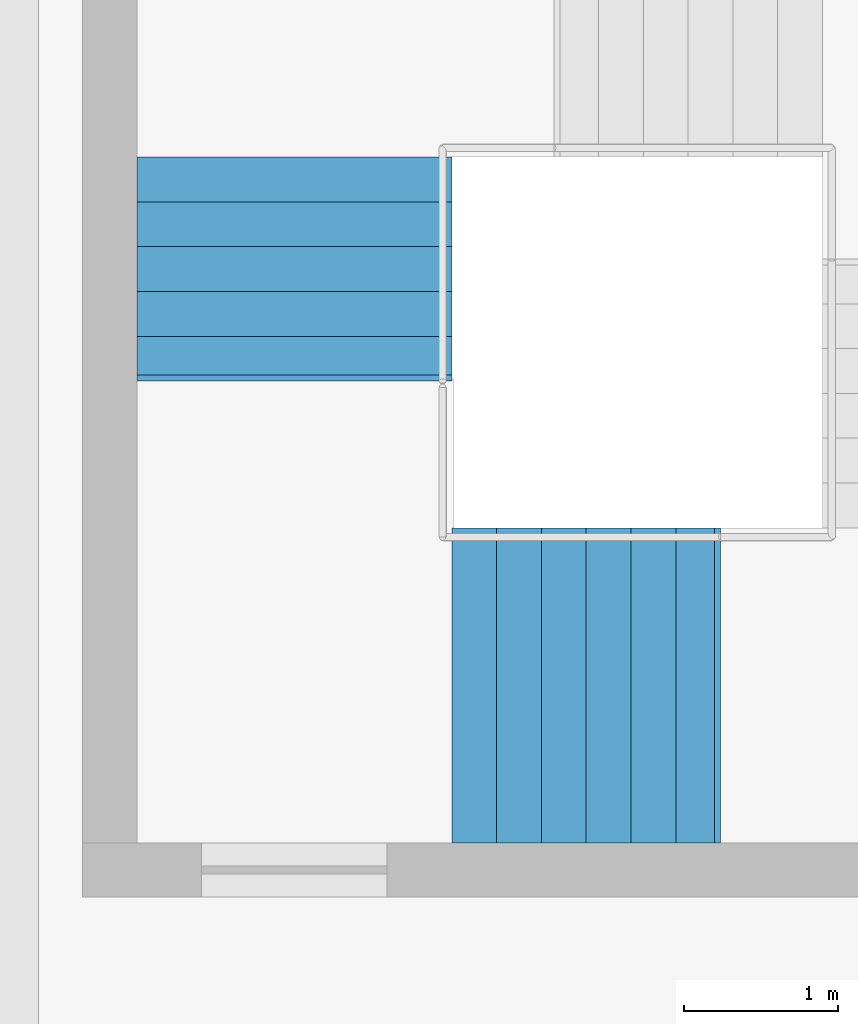
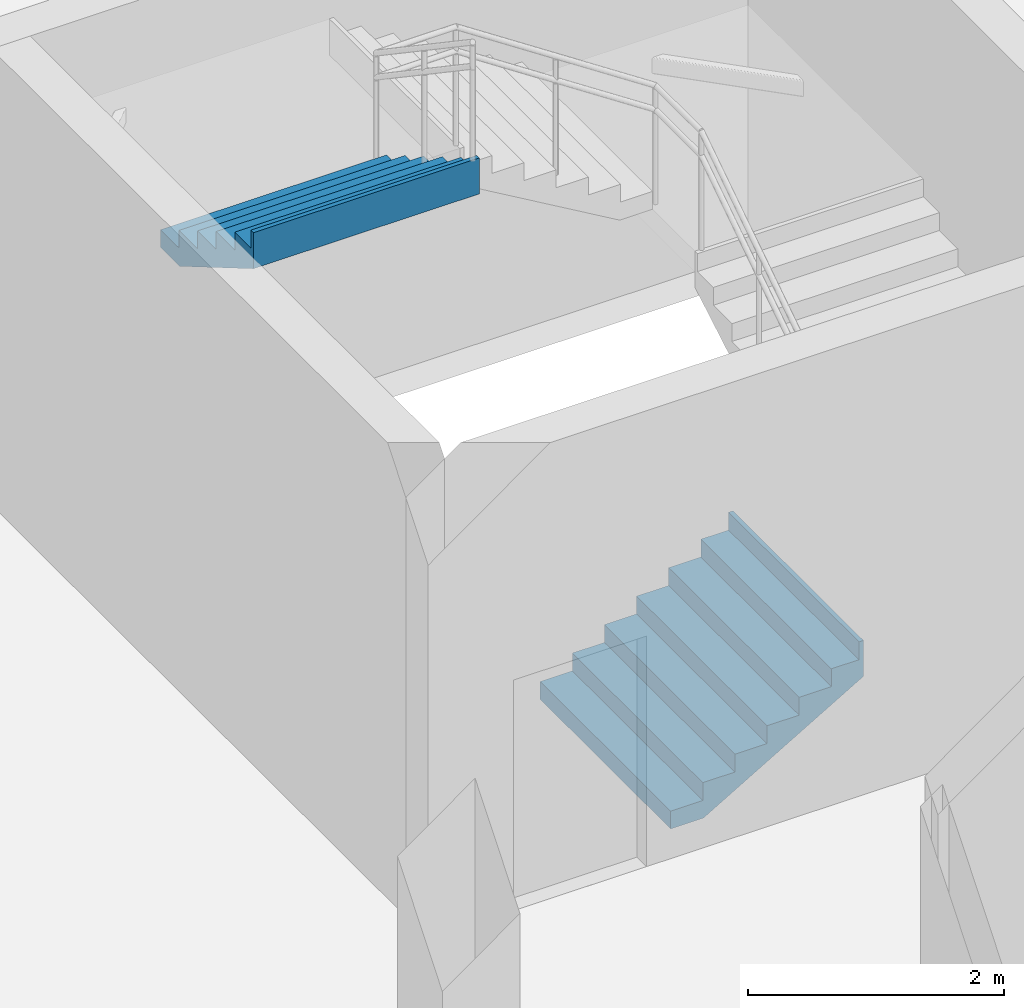
# One storey, part 44 of 49: 2 stair flights, 1 element without a shape of its own.
"""IFC4 building model written with IfcOpenShell, lengths in metres."""

from ifc_helpers import new_model, si_unit, direction, frame, origin, place, context, subcontext, project, spatial, triangles, material, type_object, element, aggregate, save


model = new_model("IFC4")

# Units and contexts
model_context = context("Model", 3, precision=1e-05, world=origin(), true_north=direction((0.0, 1.0)))
body_context = subcontext(model_context, "Body", "Model", "MODEL_VIEW")
ifc_project = project(units=[si_unit("LENGTHUNIT", "METRE"), si_unit("AREAUNIT", "SQUARE_METRE"), si_unit("VOLUMEUNIT", "CUBIC_METRE"), si_unit("PLANEANGLEUNIT", "RADIAN"), si_unit("MASSUNIT", "GRAM", prefix="KILO")], contexts=[model_context])

# Site, building, storey
site_placement = place(None, origin())
site = spatial("IfcSite", under=ifc_project, at=site_placement, CompositionType="ELEMENT")
building_placement = place(site_placement, origin())
building = spatial("IfcBuilding", under=site, at=building_placement, Name="Sillaruma Civic Art Gallery", CompositionType="ELEMENT")
storey_placement = place(building_placement, frame((0.0, 0.0, 33.14990234375)))
storey = spatial("IfcBuildingStorey", under=building, at=storey_placement, Name="L06", CompositionType="ELEMENT", Elevation=33.14990234375)

# Stair, stair flights
ifc_material = material(Name="Concrete H35 (35 MPa)", Category="concrete")
stair_type = type_object("IfcStairType", Name="STR-4F-27", PredefinedType="USERDEFINED", material=ifc_material)
stair_placement = place(storey_placement, origin())
stair = element("IfcStair", 1, at=stair_placement, inside=storey, type_object=stair_type, Name="Protected Exit Stair ST-04 (East Bar) (L06)", ObjectType="THREE_RETURN_STAIR", PredefinedType="USERDEFINED")
stair_flight_type_1 = type_object("IfcStairFlightType", Name="SFL-STR-6", PredefinedType="STRAIGHT", material=ifc_material)
stair_flight_1_placement = place(storey_placement, frame((99.8798828125, 55.64990234375, 3.570068359375), z_axis=(0.0, 0.0, 1.0), x_axis=(0.0, -1.0, 0.0)))
stair_flight_1 = element("IfcStairFlight", 2, at=stair_flight_1_placement, type_object=stair_flight_type_1, Name="ST-04 flight 4", NumberOfRisers=6, NumberOfTreads=5, PredefinedType="STRAIGHT", RiserHeight=0.17, TreadLength=0.29, context=body_context, shape_type="Tessellation", body=[
    triangles([(0.0, -1.02001953125, 0.0), (0.29, -1.02001953125, 0.0), (0.296365, -1.02001953125, 0.0), (0.58, -1.02001953125, 0.166269), (0.87, -1.02001953125, 0.336269), (1.16, -1.02001953125, 0.506269), (1.409951, -1.02001953125, 0.652792), (1.449951, -1.02001953125, 0.67624), (1.449951, -1.02001953125, 1.02), (1.409951, -1.02001953125, 1.02), (1.409951, -1.02001953125, 0.85), (1.16, -1.02001953125, 0.85), (1.16, -1.02001953125, 0.68), (0.87, -1.02001953125, 0.68), (0.87, -1.02001953125, 0.51), (0.58, -1.02001953125, 0.51), (0.58, -1.02001953125, 0.34), (0.296365, -1.02001953125, 0.34), (0.29, -1.02001953125, 0.34), (0.29, -1.02001953125, 0.17), (0.0, -1.02001953125, 0.17), (0.0, -0.05, 0.0), (0.29, -0.05, 0.0), (0.296365, -0.05, 0.0), (0.58, -0.05, 0.166269), (0.87, -0.05, 0.336269), (1.16, -0.05, 0.506269), (1.409951, -0.05, 0.652792), (1.449951, -0.05, 0.67624), (1.449951, -0.05, 1.02), (1.409951, -0.05, 1.02), (1.409951, -0.05, 0.85), (1.16, -0.05, 0.85), (1.16, -0.05, 0.68), (0.87, -0.05, 0.68), (0.87, -0.05, 0.51), (0.58, -0.05, 0.51), (0.58, -0.05, 0.34), (0.296365, -0.05, 0.34), (0.29, -0.05, 0.34), (0.29, -0.05, 0.17), (0.0, -0.05, 0.17), (0.0, -0.0375, 0.0), (0.29, -0.0375, 0.0), (0.296365, -0.0375, 0.0), (0.58, -0.0375, 0.166269), (0.87, -0.0375, 0.336269), (1.16, -0.0375, 0.506269), (1.409951, -0.0375, 0.652792), (1.449951, -0.0375, 0.67624), (1.449951, -0.0375, 1.02), (1.409951, -0.0375, 1.02), (1.409951, -0.0375, 0.85), (1.16, -0.0375, 0.85), (1.16, -0.0375, 0.68), (0.87, -0.0375, 0.68), (0.87, -0.0375, 0.51), (0.58, -0.0375, 0.51), (0.58, -0.0375, 0.34), (0.296365, -0.0375, 0.34), (0.29, -0.0375, 0.34), (0.29, -0.0375, 0.17), (0.0, -0.0375, 0.17), (0.0, -0.025, 0.0), (0.29, -0.025, 0.0), (0.296365, -0.025, 0.0), (0.58, -0.025, 0.166269), (0.87, -0.025, 0.336269), (1.16, -0.025, 0.506269), (1.409951, -0.025, 0.652792), (1.449951, -0.025, 0.67624), (1.449951, -0.025, 1.02), (1.409951, -0.025, 1.02), (1.409951, -0.025, 0.85), (1.16, -0.025, 0.85), (1.16, -0.025, 0.68), (0.87, -0.025, 0.68), (0.87, -0.025, 0.51), (0.58, -0.025, 0.51), (0.58, -0.025, 0.34), (0.296365, -0.025, 0.34), (0.29, -0.025, 0.34), (0.29, -0.025, 0.17), (0.0, -0.025, 0.17), (0.0, -0.0125, 0.0), (0.29, -0.0125, 0.0), (0.296365, -0.0125, 0.0), (0.58, -0.0125, 0.166269), (0.87, -0.0125, 0.336269), (1.16, -0.0125, 0.506269), (1.409951, -0.0125, 0.652792), (1.449951, -0.0125, 0.67624), (1.449951, -0.0125, 1.02), (1.409951, -0.0125, 1.02), (1.409951, -0.0125, 0.85), (1.16, -0.0125, 0.85), (1.16, -0.0125, 0.68), (0.87, -0.0125, 0.68), (0.87, -0.0125, 0.51), (0.58, -0.0125, 0.51), (0.58, -0.0125, 0.34), (0.296365, -0.0125, 0.34), (0.29, -0.0125, 0.34), (0.29, -0.0125, 0.17), (0.0, -0.0125, 0.17), (0.0, 0.0, 0.0), (0.29, 0.0, 0.0), (0.296365, 0.0, 0.0), (0.58, 0.0, 0.166269), (0.87, 0.0, 0.336269), (1.16, 0.0, 0.506269), (1.409951, 0.0, 0.652792), (1.449951, 0.0, 0.67624), (1.449951, 0.0, 1.02), (1.409951, 0.0, 1.02), (1.409951, 0.0, 0.85), (1.16, 0.0, 0.85), (1.16, 0.0, 0.68), (0.87, 0.0, 0.68), (0.87, 0.0, 0.51), (0.58, 0.0, 0.51), (0.58, 0.0, 0.34), (0.296365, 0.0, 0.34), (0.29, 0.0, 0.34), (0.29, 0.0, 0.17), (0.0, 0.0, 0.17), (0.0, 0.0125, 0.0), (0.29, 0.0125, 0.0), (0.296365, 0.0125, 0.0), (0.58, 0.0125, 0.166269), (0.87, 0.0125, 0.336269), (1.16, 0.0125, 0.506269), (1.409951, 0.0125, 0.652792), (1.449951, 0.0125, 0.67624), (1.449951, 0.0125, 1.02), (1.409951, 0.0125, 1.02), (1.409951, 0.0125, 0.85), (1.16, 0.0125, 0.85), (1.16, 0.0125, 0.68), (0.87, 0.0125, 0.68), (0.87, 0.0125, 0.51), (0.58, 0.0125, 0.51), (0.58, 0.0125, 0.34), (0.296365, 0.0125, 0.34), (0.29, 0.0125, 0.34), (0.29, 0.0125, 0.17), (0.0, 0.0125, 0.17), (0.0, 0.025, 0.0), (0.29, 0.025, 0.0), (0.296365, 0.025, 0.0), (0.58, 0.025, 0.166269), (0.87, 0.025, 0.336269), (1.16, 0.025, 0.506269), (1.409951, 0.025, 0.652792), (1.449951, 0.025, 0.67624), (1.449951, 0.025, 1.02), (1.409951, 0.025, 1.02), (1.409951, 0.025, 0.85), (1.16, 0.025, 0.85), (1.16, 0.025, 0.68), (0.87, 0.025, 0.68), (0.87, 0.025, 0.51), (0.58, 0.025, 0.51), (0.58, 0.025, 0.34), (0.296365, 0.025, 0.34), (0.29, 0.025, 0.34), (0.29, 0.025, 0.17), (0.0, 0.025, 0.17), (0.0, 0.0375, 0.0), (0.29, 0.0375, 0.0), (0.296365, 0.0375, 0.0), (0.58, 0.0375, 0.166269), (0.87, 0.0375, 0.336269), (1.16, 0.0375, 0.506269), (1.409951, 0.0375, 0.652792), (1.449951, 0.0375, 0.67624), (1.449951, 0.0375, 1.02), (1.409951, 0.0375, 1.02), (1.409951, 0.0375, 0.85), (1.16, 0.0375, 0.85), (1.16, 0.0375, 0.68), (0.87, 0.0375, 0.68), (0.87, 0.0375, 0.51), (0.58, 0.0375, 0.51), (0.58, 0.0375, 0.34), (0.296365, 0.0375, 0.34), (0.29, 0.0375, 0.34), (0.29, 0.0375, 0.17), (0.0, 0.0375, 0.17), (0.0, 0.05, 0.0), (0.29, 0.05, 0.0), (0.296365, 0.05, 0.0), (0.58, 0.05, 0.166269), (0.87, 0.05, 0.336269), (1.16, 0.05, 0.506269), (1.409951, 0.05, 0.652792), (1.449951, 0.05, 0.67624), (1.449951, 0.05, 1.02), (1.409951, 0.05, 1.02), (1.409951, 0.05, 0.85), (1.16, 0.05, 0.85), (1.16, 0.05, 0.68), (0.87, 0.05, 0.68), (0.87, 0.05, 0.51), (0.58, 0.05, 0.51), (0.58, 0.05, 0.34), (0.296365, 0.05, 0.34), (0.29, 0.05, 0.34), (0.29, 0.05, 0.17), (0.0, 0.05, 0.17), (0.0, 1.02001953125, 0.0), (0.29, 1.02001953125, 0.0), (0.296365, 1.02001953125, 0.0), (0.58, 1.02001953125, 0.166269), (0.87, 1.02001953125, 0.336269), (1.16, 1.02001953125, 0.506269), (1.409951, 1.02001953125, 0.652792), (1.449951, 1.02001953125, 0.67624), (1.449951, 1.02001953125, 1.02), (1.409951, 1.02001953125, 1.02), (1.409951, 1.02001953125, 0.85), (1.16, 1.02001953125, 0.85), (1.16, 1.02001953125, 0.68), (0.87, 1.02001953125, 0.68), (0.87, 1.02001953125, 0.51), (0.58, 1.02001953125, 0.51), (0.58, 1.02001953125, 0.34), (0.296365, 1.02001953125, 0.34), (0.29, 1.02001953125, 0.34), (0.29, 1.02001953125, 0.17), (0.0, 1.02001953125, 0.17)], [[1, 2, 20], [1, 20, 21], [2, 3, 18], [2, 18, 20], [20, 18, 19], [3, 4, 17], [3, 17, 18], [4, 5, 15], [4, 15, 17], [17, 15, 16], [5, 6, 13], [5, 13, 15], [15, 13, 14], [6, 7, 11], [6, 11, 13], [13, 11, 12], [7, 8, 9], [7, 9, 11], [11, 9, 10], [230, 212, 211], [231, 230, 211], [228, 213, 212], [230, 228, 212], [229, 228, 230], [227, 214, 213], [228, 227, 213], [225, 215, 214], [227, 225, 214], [226, 225, 227], [223, 216, 215], [225, 223, 215], [224, 223, 225], [221, 217, 216], [223, 221, 216], [222, 221, 223], [219, 218, 217], [221, 219, 217], [220, 219, 221], [2, 1, 22], [2, 22, 23], [3, 2, 23], [3, 23, 24], [4, 3, 24], [4, 24, 25], [5, 4, 25], [5, 25, 26], [6, 5, 26], [6, 26, 27], [7, 6, 27], [7, 27, 28], [8, 7, 28], [8, 28, 29], [9, 8, 29], [9, 29, 30], [10, 9, 30], [10, 30, 31], [11, 10, 31], [11, 31, 32], [12, 11, 32], [12, 32, 33], [13, 12, 33], [13, 33, 34], [14, 13, 34], [14, 34, 35], [15, 14, 35], [15, 35, 36], [16, 15, 36], [16, 36, 37], [17, 16, 37], [17, 37, 38], [18, 17, 38], [18, 38, 39], [19, 18, 39], [19, 39, 40], [20, 19, 40], [20, 40, 41], [21, 20, 41], [21, 41, 42], [1, 21, 42], [1, 42, 22], [23, 22, 43], [23, 43, 44], [24, 23, 44], [24, 44, 45], [25, 24, 45], [25, 45, 46], [26, 25, 46], [26, 46, 47], [27, 26, 47], [27, 47, 48], [28, 27, 48], [28, 48, 49], [29, 28, 49], [29, 49, 50], [30, 29, 50], [30, 50, 51], [31, 30, 51], [31, 51, 52], [32, 31, 52], [32, 52, 53], [33, 32, 53], [33, 53, 54], [34, 33, 54], [34, 54, 55], [35, 34, 55], [35, 55, 56], [36, 35, 56], [36, 56, 57], [37, 36, 57], [37, 57, 58], [38, 37, 58], [38, 58, 59], [39, 38, 59], [39, 59, 60], [40, 39, 60], [40, 60, 61], [41, 40, 61], [41, 61, 62], [42, 41, 62], [42, 62, 63], [22, 42, 63], [22, 63, 43], [44, 43, 64], [44, 64, 65], [45, 44, 65], [45, 65, 66], [46, 45, 66], [46, 66, 67], [47, 46, 67], [47, 67, 68], [48, 47, 68], [48, 68, 69], [49, 48, 69], [49, 69, 70], [50, 49, 70], [50, 70, 71], [51, 50, 71], [51, 71, 72], [52, 51, 72], [52, 72, 73], [53, 52, 73], [53, 73, 74], [54, 53, 74], [54, 74, 75], [55, 54, 75], [55, 75, 76], [56, 55, 76], [56, 76, 77], [57, 56, 77], [57, 77, 78], [58, 57, 78], [58, 78, 79], [59, 58, 79], [59, 79, 80], [60, 59, 80], [60, 80, 81], [61, 60, 81], [61, 81, 82], [62, 61, 82], [62, 82, 83], [63, 62, 83], [63, 83, 84], [43, 63, 84], [43, 84, 64], [65, 64, 85], [65, 85, 86], [66, 65, 86], [66, 86, 87], [67, 66, 87], [67, 87, 88], [68, 67, 88], [68, 88, 89], [69, 68, 89], [69, 89, 90], [70, 69, 90], [70, 90, 91], [71, 70, 91], [71, 91, 92], [72, 71, 92], [72, 92, 93], [73, 72, 93], [73, 93, 94], [74, 73, 94], [74, 94, 95], [75, 74, 95], [75, 95, 96], [76, 75, 96], [76, 96, 97], [77, 76, 97], [77, 97, 98], [78, 77, 98], [78, 98, 99], [79, 78, 99], [79, 99, 100], [80, 79, 100], [80, 100, 101], [81, 80, 101], [81, 101, 102], [82, 81, 102], [82, 102, 103], [83, 82, 103], [83, 103, 104], [84, 83, 104], [84, 104, 105], [64, 84, 105], [64, 105, 85], [86, 85, 106], [86, 106, 107], [87, 86, 107], [87, 107, 108], [88, 87, 108], [88, 108, 109], [89, 88, 109], [89, 109, 110], [90, 89, 110], [90, 110, 111], [91, 90, 111], [91, 111, 112], [92, 91, 112], [92, 112, 113], [93, 92, 113], [93, 113, 114], [94, 93, 114], [94, 114, 115], [95, 94, 115], [95, 115, 116], [96, 95, 116], [96, 116, 117], [97, 96, 117], [97, 117, 118], [98, 97, 118], [98, 118, 119], [99, 98, 119], [99, 119, 120], [100, 99, 120], [100, 120, 121], [101, 100, 121], [101, 121, 122], [102, 101, 122], [102, 122, 123], [103, 102, 123], [103, 123, 124], [104, 103, 124], [104, 124, 125], [105, 104, 125], [105, 125, 126], [85, 105, 126], [85, 126, 106], [107, 106, 127], [107, 127, 128], [108, 107, 128], [108, 128, 129], [109, 108, 129], [109, 129, 130], [110, 109, 130], [110, 130, 131], [111, 110, 131], [111, 131, 132], [112, 111, 132], [112, 132, 133], [113, 112, 133], [113, 133, 134], [114, 113, 134], [114, 134, 135], [115, 114, 135], [115, 135, 136], [116, 115, 136], [116, 136, 137], [117, 116, 137], [117, 137, 138], [118, 117, 138], [118, 138, 139], [119, 118, 139], [119, 139, 140], [120, 119, 140], [120, 140, 141], [121, 120, 141], [121, 141, 142], [122, 121, 142], [122, 142, 143], [123, 122, 143], [123, 143, 144], [124, 123, 144], [124, 144, 145], [125, 124, 145], [125, 145, 146], [126, 125, 146], [126, 146, 147], [106, 126, 147], [106, 147, 127], [128, 127, 148], [128, 148, 149], [129, 128, 149], [129, 149, 150], [130, 129, 150], [130, 150, 151], [131, 130, 151], [131, 151, 152], [132, 131, 152], [132, 152, 153], [133, 132, 153], [133, 153, 154], [134, 133, 154], [134, 154, 155], [135, 134, 155], [135, 155, 156], [136, 135, 156], [136, 156, 157], [137, 136, 157], [137, 157, 158], [138, 137, 158], [138, 158, 159], [139, 138, 159], [139, 159, 160], [140, 139, 160], [140, 160, 161], [141, 140, 161], [141, 161, 162], [142, 141, 162], [142, 162, 163], [143, 142, 163], [143, 163, 164], [144, 143, 164], [144, 164, 165], [145, 144, 165], [145, 165, 166], [146, 145, 166], [146, 166, 167], [147, 146, 167], [147, 167, 168], [127, 147, 168], [127, 168, 148], [149, 148, 169], [149, 169, 170], [150, 149, 170], [150, 170, 171], [151, 150, 171], [151, 171, 172], [152, 151, 172], [152, 172, 173], [153, 152, 173], [153, 173, 174], [154, 153, 174], [154, 174, 175], [155, 154, 175], [155, 175, 176], [156, 155, 176], [156, 176, 177], [157, 156, 177], [157, 177, 178], [158, 157, 178], [158, 178, 179], [159, 158, 179], [159, 179, 180], [160, 159, 180], [160, 180, 181], [161, 160, 181], [161, 181, 182], [162, 161, 182], [162, 182, 183], [163, 162, 183], [163, 183, 184], [164, 163, 184], [164, 184, 185], [165, 164, 185], [165, 185, 186], [166, 165, 186], [166, 186, 187], [167, 166, 187], [167, 187, 188], [168, 167, 188], [168, 188, 189], [148, 168, 189], [148, 189, 169], [170, 169, 190], [170, 190, 191], [171, 170, 191], [171, 191, 192], [172, 171, 192], [172, 192, 193], [173, 172, 193], [173, 193, 194], [174, 173, 194], [174, 194, 195], [175, 174, 195], [175, 195, 196], [176, 175, 196], [176, 196, 197], [177, 176, 197], [177, 197, 198], [178, 177, 198], [178, 198, 199], [179, 178, 199], [179, 199, 200], [180, 179, 200], [180, 200, 201], [181, 180, 201], [181, 201, 202], [182, 181, 202], [182, 202, 203], [183, 182, 203], [183, 203, 204], [184, 183, 204], [184, 204, 205], [185, 184, 205], [185, 205, 206], [186, 185, 206], [186, 206, 207], [187, 186, 207], [187, 207, 208], [188, 187, 208], [188, 208, 209], [189, 188, 209], [189, 209, 210], [169, 189, 210], [169, 210, 190], [191, 190, 211], [191, 211, 212], [192, 191, 212], [192, 212, 213], [193, 192, 213], [193, 213, 214], [194, 193, 214], [194, 214, 215], [195, 194, 215], [195, 215, 216], [196, 195, 216], [196, 216, 217], [197, 196, 217], [197, 217, 218], [198, 197, 218], [198, 218, 219], [199, 198, 219], [199, 219, 220], [200, 199, 220], [200, 220, 221], [201, 200, 221], [201, 221, 222], [202, 201, 222], [202, 222, 223], [203, 202, 223], [203, 223, 224], [204, 203, 224], [204, 224, 225], [205, 204, 225], [205, 225, 226], [206, 205, 226], [206, 226, 227], [207, 206, 227], [207, 227, 228], [208, 207, 228], [208, 228, 229], [209, 208, 229], [209, 229, 230], [210, 209, 230], [210, 230, 231], [190, 210, 231], [190, 231, 211]], closed=True),
])
stair_flight_type_2 = type_object("IfcStairFlightType", Name="SFL-STR-7", PredefinedType="STRAIGHT", material=ifc_material)
stair_flight_2_placement = place(storey_placement, frame((100.89990234375, 52.22998046875, 0.0), z_axis=(0.0, 0.0, 1.0), x_axis=(1.0, 0.0, 0.0)))
stair_flight_2 = element("IfcStairFlight", 3, at=stair_flight_2_placement, type_object=stair_flight_type_2, Name="ST-04 flight 1", NumberOfRisers=7, NumberOfTreads=6, PredefinedType="STRAIGHT", RiserHeight=0.17, TreadLength=0.29, context=body_context, shape_type="Tessellation", body=[
    triangles([(0.0, -1.02001953125, 0.0), (0.29, -1.02001953125, 0.0), (0.296404, -1.02001953125, 0.0), (0.58, -1.02001953125, 0.166246), (0.87, -1.02001953125, 0.336246), (1.16, -1.02001953125, 0.506246), (1.45, -1.02001953125, 0.676246), (1.69999, -1.02001953125, 0.822792), (1.73999, -1.02001953125, 0.84624), (1.73999, -1.02001953125, 1.19), (1.69999, -1.02001953125, 1.19), (1.69999, -1.02001953125, 1.02), (1.45, -1.02001953125, 1.02), (1.45, -1.02001953125, 0.85), (1.16, -1.02001953125, 0.85), (1.16, -1.02001953125, 0.68), (0.87, -1.02001953125, 0.68), (0.87, -1.02001953125, 0.51), (0.58, -1.02001953125, 0.51), (0.58, -1.02001953125, 0.34), (0.296404, -1.02001953125, 0.34), (0.29, -1.02001953125, 0.34), (0.29, -1.02001953125, 0.17), (0.0, -1.02001953125, 0.17), (0.0, -0.05, 0.0), (0.29, -0.05, 0.0), (0.296404, -0.05, 0.0), (0.58, -0.05, 0.166246), (0.87, -0.05, 0.336246), (1.16, -0.05, 0.506246), (1.45, -0.05, 0.676246), (1.69999, -0.05, 0.822792), (1.73999, -0.05, 0.84624), (1.73999, -0.05, 1.19), (1.69999, -0.05, 1.19), (1.69999, -0.05, 1.02), (1.45, -0.05, 1.02), (1.45, -0.05, 0.85), (1.16, -0.05, 0.85), (1.16, -0.05, 0.68), (0.87, -0.05, 0.68), (0.87, -0.05, 0.51), (0.58, -0.05, 0.51), (0.58, -0.05, 0.34), (0.296404, -0.05, 0.34), (0.29, -0.05, 0.34), (0.29, -0.05, 0.17), (0.0, -0.05, 0.17), (0.0, -0.0375, 0.0), (0.29, -0.0375, 0.0), (0.296404, -0.0375, 0.0), (0.58, -0.0375, 0.166246), (0.87, -0.0375, 0.336246), (1.16, -0.0375, 0.506246), (1.45, -0.0375, 0.676246), (1.69999, -0.0375, 0.822792), (1.73999, -0.0375, 0.84624), (1.73999, -0.0375, 1.19), (1.69999, -0.0375, 1.19), (1.69999, -0.0375, 1.02), (1.45, -0.0375, 1.02), (1.45, -0.0375, 0.85), (1.16, -0.0375, 0.85), (1.16, -0.0375, 0.68), (0.87, -0.0375, 0.68), (0.87, -0.0375, 0.51), (0.58, -0.0375, 0.51), (0.58, -0.0375, 0.34), (0.296404, -0.0375, 0.34), (0.29, -0.0375, 0.34), (0.29, -0.0375, 0.17), (0.0, -0.0375, 0.17), (0.0, -0.025, 0.0), (0.29, -0.025, 0.0), (0.296404, -0.025, 0.0), (0.58, -0.025, 0.166246), (0.87, -0.025, 0.336246), (1.16, -0.025, 0.506246), (1.45, -0.025, 0.676246), (1.69999, -0.025, 0.822792), (1.73999, -0.025, 0.84624), (1.73999, -0.025, 1.19), (1.69999, -0.025, 1.19), (1.69999, -0.025, 1.02), (1.45, -0.025, 1.02), (1.45, -0.025, 0.85), (1.16, -0.025, 0.85), (1.16, -0.025, 0.68), (0.87, -0.025, 0.68), (0.87, -0.025, 0.51), (0.58, -0.025, 0.51), (0.58, -0.025, 0.34), (0.296404, -0.025, 0.34), (0.29, -0.025, 0.34), (0.29, -0.025, 0.17), (0.0, -0.025, 0.17), (0.0, -0.0125, 0.0), (0.29, -0.0125, 0.0), (0.296404, -0.0125, 0.0), (0.58, -0.0125, 0.166246), (0.87, -0.0125, 0.336246), (1.16, -0.0125, 0.506246), (1.45, -0.0125, 0.676246), (1.69999, -0.0125, 0.822792), (1.73999, -0.0125, 0.84624), (1.73999, -0.0125, 1.19), (1.69999, -0.0125, 1.19), (1.69999, -0.0125, 1.02), (1.45, -0.0125, 1.02), (1.45, -0.0125, 0.85), (1.16, -0.0125, 0.85), (1.16, -0.0125, 0.68), (0.87, -0.0125, 0.68), (0.87, -0.0125, 0.51), (0.58, -0.0125, 0.51), (0.58, -0.0125, 0.34), (0.296404, -0.0125, 0.34), (0.29, -0.0125, 0.34), (0.29, -0.0125, 0.17), (0.0, -0.0125, 0.17), (0.0, 0.0, 0.0), (0.29, 0.0, 0.0), (0.296404, 0.0, 0.0), (0.58, 0.0, 0.166246), (0.87, 0.0, 0.336246), (1.16, 0.0, 0.506246), (1.45, 0.0, 0.676246), (1.69999, 0.0, 0.822792), (1.73999, 0.0, 0.84624), (1.73999, 0.0, 1.19), (1.69999, 0.0, 1.19), (1.69999, 0.0, 1.02), (1.45, 0.0, 1.02), (1.45, 0.0, 0.85), (1.16, 0.0, 0.85), (1.16, 0.0, 0.68), (0.87, 0.0, 0.68), (0.87, 0.0, 0.51), (0.58, 0.0, 0.51), (0.58, 0.0, 0.34), (0.296404, 0.0, 0.34), (0.29, 0.0, 0.34), (0.29, 0.0, 0.17), (0.0, 0.0, 0.17), (0.0, 0.0125, 0.0), (0.29, 0.0125, 0.0), (0.296404, 0.0125, 0.0), (0.58, 0.0125, 0.166246), (0.87, 0.0125, 0.336246), (1.16, 0.0125, 0.506246), (1.45, 0.0125, 0.676246), (1.69999, 0.0125, 0.822792), (1.73999, 0.0125, 0.84624), (1.73999, 0.0125, 1.19), (1.69999, 0.0125, 1.19), (1.69999, 0.0125, 1.02), (1.45, 0.0125, 1.02), (1.45, 0.0125, 0.85), (1.16, 0.0125, 0.85), (1.16, 0.0125, 0.68), (0.87, 0.0125, 0.68), (0.87, 0.0125, 0.51), (0.58, 0.0125, 0.51), (0.58, 0.0125, 0.34), (0.296404, 0.0125, 0.34), (0.29, 0.0125, 0.34), (0.29, 0.0125, 0.17), (0.0, 0.0125, 0.17), (0.0, 0.025, 0.0), (0.29, 0.025, 0.0), (0.296404, 0.025, 0.0), (0.58, 0.025, 0.166246), (0.87, 0.025, 0.336246), (1.16, 0.025, 0.506246), (1.45, 0.025, 0.676246), (1.69999, 0.025, 0.822792), (1.73999, 0.025, 0.84624), (1.73999, 0.025, 1.19), (1.69999, 0.025, 1.19), (1.69999, 0.025, 1.02), (1.45, 0.025, 1.02), (1.45, 0.025, 0.85), (1.16, 0.025, 0.85), (1.16, 0.025, 0.68), (0.87, 0.025, 0.68), (0.87, 0.025, 0.51), (0.58, 0.025, 0.51), (0.58, 0.025, 0.34), (0.296404, 0.025, 0.34), (0.29, 0.025, 0.34), (0.29, 0.025, 0.17), (0.0, 0.025, 0.17), (0.0, 0.0375, 0.0), (0.29, 0.0375, 0.0), (0.296404, 0.0375, 0.0), (0.58, 0.0375, 0.166246), (0.87, 0.0375, 0.336246), (1.16, 0.0375, 0.506246), (1.45, 0.0375, 0.676246), (1.69999, 0.0375, 0.822792), (1.73999, 0.0375, 0.84624), (1.73999, 0.0375, 1.19), (1.69999, 0.0375, 1.19), (1.69999, 0.0375, 1.02), (1.45, 0.0375, 1.02), (1.45, 0.0375, 0.85), (1.16, 0.0375, 0.85), (1.16, 0.0375, 0.68), (0.87, 0.0375, 0.68), (0.87, 0.0375, 0.51), (0.58, 0.0375, 0.51), (0.58, 0.0375, 0.34), (0.296404, 0.0375, 0.34), (0.29, 0.0375, 0.34), (0.29, 0.0375, 0.17), (0.0, 0.0375, 0.17), (0.0, 0.05, 0.0), (0.29, 0.05, 0.0), (0.296404, 0.05, 0.0), (0.58, 0.05, 0.166246), (0.87, 0.05, 0.336246), (1.16, 0.05, 0.506246), (1.45, 0.05, 0.676246), (1.69999, 0.05, 0.822792), (1.73999, 0.05, 0.84624), (1.73999, 0.05, 1.19), (1.69999, 0.05, 1.19), (1.69999, 0.05, 1.02), (1.45, 0.05, 1.02), (1.45, 0.05, 0.85), (1.16, 0.05, 0.85), (1.16, 0.05, 0.68), (0.87, 0.05, 0.68), (0.87, 0.05, 0.51), (0.58, 0.05, 0.51), (0.58, 0.05, 0.34), (0.296404, 0.05, 0.34), (0.29, 0.05, 0.34), (0.29, 0.05, 0.17), (0.0, 0.05, 0.17), (0.0, 1.02001953125, 0.0), (0.29, 1.02001953125, 0.0), (0.296404, 1.02001953125, 0.0), (0.58, 1.02001953125, 0.166246), (0.87, 1.02001953125, 0.336246), (1.16, 1.02001953125, 0.506246), (1.45, 1.02001953125, 0.676246), (1.69999, 1.02001953125, 0.822792), (1.73999, 1.02001953125, 0.84624), (1.73999, 1.02001953125, 1.19), (1.69999, 1.02001953125, 1.19), (1.69999, 1.02001953125, 1.02), (1.45, 1.02001953125, 1.02), (1.45, 1.02001953125, 0.85), (1.16, 1.02001953125, 0.85), (1.16, 1.02001953125, 0.68), (0.87, 1.02001953125, 0.68), (0.87, 1.02001953125, 0.51), (0.58, 1.02001953125, 0.51), (0.58, 1.02001953125, 0.34), (0.296404, 1.02001953125, 0.34), (0.29, 1.02001953125, 0.34), (0.29, 1.02001953125, 0.17), (0.0, 1.02001953125, 0.17)], [[1, 2, 23], [1, 23, 24], [2, 3, 21], [2, 21, 23], [23, 21, 22], [3, 4, 20], [3, 20, 21], [4, 5, 18], [4, 18, 20], [20, 18, 19], [5, 6, 16], [5, 16, 18], [18, 16, 17], [6, 7, 14], [6, 14, 16], [16, 14, 15], [7, 8, 12], [7, 12, 14], [14, 12, 13], [8, 9, 10], [8, 10, 12], [12, 10, 11], [263, 242, 241], [264, 263, 241], [261, 243, 242], [263, 261, 242], [262, 261, 263], [260, 244, 243], [261, 260, 243], [258, 245, 244], [260, 258, 244], [259, 258, 260], [256, 246, 245], [258, 256, 245], [257, 256, 258], [254, 247, 246], [256, 254, 246], [255, 254, 256], [252, 248, 247], [254, 252, 247], [253, 252, 254], [250, 249, 248], [252, 250, 248], [251, 250, 252], [2, 1, 25], [2, 25, 26], [3, 2, 26], [3, 26, 27], [4, 3, 27], [4, 27, 28], [5, 4, 28], [5, 28, 29], [6, 5, 29], [6, 29, 30], [7, 6, 30], [7, 30, 31], [8, 7, 31], [8, 31, 32], [9, 8, 32], [9, 32, 33], [10, 9, 33], [10, 33, 34], [11, 10, 34], [11, 34, 35], [12, 11, 35], [12, 35, 36], [13, 12, 36], [13, 36, 37], [14, 13, 37], [14, 37, 38], [15, 14, 38], [15, 38, 39], [16, 15, 39], [16, 39, 40], [17, 16, 40], [17, 40, 41], [18, 17, 41], [18, 41, 42], [19, 18, 42], [19, 42, 43], [20, 19, 43], [20, 43, 44], [21, 20, 44], [21, 44, 45], [22, 21, 45], [22, 45, 46], [23, 22, 46], [23, 46, 47], [24, 23, 47], [24, 47, 48], [1, 24, 48], [1, 48, 25], [26, 25, 49], [26, 49, 50], [27, 26, 50], [27, 50, 51], [28, 27, 51], [28, 51, 52], [29, 28, 52], [29, 52, 53], [30, 29, 53], [30, 53, 54], [31, 30, 54], [31, 54, 55], [32, 31, 55], [32, 55, 56], [33, 32, 56], [33, 56, 57], [34, 33, 57], [34, 57, 58], [35, 34, 58], [35, 58, 59], [36, 35, 59], [36, 59, 60], [37, 36, 60], [37, 60, 61], [38, 37, 61], [38, 61, 62], [39, 38, 62], [39, 62, 63], [40, 39, 63], [40, 63, 64], [41, 40, 64], [41, 64, 65], [42, 41, 65], [42, 65, 66], [43, 42, 66], [43, 66, 67], [44, 43, 67], [44, 67, 68], [45, 44, 68], [45, 68, 69], [46, 45, 69], [46, 69, 70], [47, 46, 70], [47, 70, 71], [48, 47, 71], [48, 71, 72], [25, 48, 72], [25, 72, 49], [50, 49, 73], [50, 73, 74], [51, 50, 74], [51, 74, 75], [52, 51, 75], [52, 75, 76], [53, 52, 76], [53, 76, 77], [54, 53, 77], [54, 77, 78], [55, 54, 78], [55, 78, 79], [56, 55, 79], [56, 79, 80], [57, 56, 80], [57, 80, 81], [58, 57, 81], [58, 81, 82], [59, 58, 82], [59, 82, 83], [60, 59, 83], [60, 83, 84], [61, 60, 84], [61, 84, 85], [62, 61, 85], [62, 85, 86], [63, 62, 86], [63, 86, 87], [64, 63, 87], [64, 87, 88], [65, 64, 88], [65, 88, 89], [66, 65, 89], [66, 89, 90], [67, 66, 90], [67, 90, 91], [68, 67, 91], [68, 91, 92], [69, 68, 92], [69, 92, 93], [70, 69, 93], [70, 93, 94], [71, 70, 94], [71, 94, 95], [72, 71, 95], [72, 95, 96], [49, 72, 96], [49, 96, 73], [74, 73, 97], [74, 97, 98], [75, 74, 98], [75, 98, 99], [76, 75, 99], [76, 99, 100], [77, 76, 100], [77, 100, 101], [78, 77, 101], [78, 101, 102], [79, 78, 102], [79, 102, 103], [80, 79, 103], [80, 103, 104], [81, 80, 104], [81, 104, 105], [82, 81, 105], [82, 105, 106], [83, 82, 106], [83, 106, 107], [84, 83, 107], [84, 107, 108], [85, 84, 108], [85, 108, 109], [86, 85, 109], [86, 109, 110], [87, 86, 110], [87, 110, 111], [88, 87, 111], [88, 111, 112], [89, 88, 112], [89, 112, 113], [90, 89, 113], [90, 113, 114], [91, 90, 114], [91, 114, 115], [92, 91, 115], [92, 115, 116], [93, 92, 116], [93, 116, 117], [94, 93, 117], [94, 117, 118], [95, 94, 118], [95, 118, 119], [96, 95, 119], [96, 119, 120], [73, 96, 120], [73, 120, 97], [98, 97, 121], [98, 121, 122], [99, 98, 122], [99, 122, 123], [100, 99, 123], [100, 123, 124], [101, 100, 124], [101, 124, 125], [102, 101, 125], [102, 125, 126], [103, 102, 126], [103, 126, 127], [104, 103, 127], [104, 127, 128], [105, 104, 128], [105, 128, 129], [106, 105, 129], [106, 129, 130], [107, 106, 130], [107, 130, 131], [108, 107, 131], [108, 131, 132], [109, 108, 132], [109, 132, 133], [110, 109, 133], [110, 133, 134], [111, 110, 134], [111, 134, 135], [112, 111, 135], [112, 135, 136], [113, 112, 136], [113, 136, 137], [114, 113, 137], [114, 137, 138], [115, 114, 138], [115, 138, 139], [116, 115, 139], [116, 139, 140], [117, 116, 140], [117, 140, 141], [118, 117, 141], [118, 141, 142], [119, 118, 142], [119, 142, 143], [120, 119, 143], [120, 143, 144], [97, 120, 144], [97, 144, 121], [122, 121, 145], [122, 145, 146], [123, 122, 146], [123, 146, 147], [124, 123, 147], [124, 147, 148], [125, 124, 148], [125, 148, 149], [126, 125, 149], [126, 149, 150], [127, 126, 150], [127, 150, 151], [128, 127, 151], [128, 151, 152], [129, 128, 152], [129, 152, 153], [130, 129, 153], [130, 153, 154], [131, 130, 154], [131, 154, 155], [132, 131, 155], [132, 155, 156], [133, 132, 156], [133, 156, 157], [134, 133, 157], [134, 157, 158], [135, 134, 158], [135, 158, 159], [136, 135, 159], [136, 159, 160], [137, 136, 160], [137, 160, 161], [138, 137, 161], [138, 161, 162], [139, 138, 162], [139, 162, 163], [140, 139, 163], [140, 163, 164], [141, 140, 164], [141, 164, 165], [142, 141, 165], [142, 165, 166], [143, 142, 166], [143, 166, 167], [144, 143, 167], [144, 167, 168], [121, 144, 168], [121, 168, 145], [146, 145, 169], [146, 169, 170], [147, 146, 170], [147, 170, 171], [148, 147, 171], [148, 171, 172], [149, 148, 172], [149, 172, 173], [150, 149, 173], [150, 173, 174], [151, 150, 174], [151, 174, 175], [152, 151, 175], [152, 175, 176], [153, 152, 176], [153, 176, 177], [154, 153, 177], [154, 177, 178], [155, 154, 178], [155, 178, 179], [156, 155, 179], [156, 179, 180], [157, 156, 180], [157, 180, 181], [158, 157, 181], [158, 181, 182], [159, 158, 182], [159, 182, 183], [160, 159, 183], [160, 183, 184], [161, 160, 184], [161, 184, 185], [162, 161, 185], [162, 185, 186], [163, 162, 186], [163, 186, 187], [164, 163, 187], [164, 187, 188], [165, 164, 188], [165, 188, 189], [166, 165, 189], [166, 189, 190], [167, 166, 190], [167, 190, 191], [168, 167, 191], [168, 191, 192], [145, 168, 192], [145, 192, 169], [170, 169, 193], [170, 193, 194], [171, 170, 194], [171, 194, 195], [172, 171, 195], [172, 195, 196], [173, 172, 196], [173, 196, 197], [174, 173, 197], [174, 197, 198], [175, 174, 198], [175, 198, 199], [176, 175, 199], [176, 199, 200], [177, 176, 200], [177, 200, 201], [178, 177, 201], [178, 201, 202], [179, 178, 202], [179, 202, 203], [180, 179, 203], [180, 203, 204], [181, 180, 204], [181, 204, 205], [182, 181, 205], [182, 205, 206], [183, 182, 206], [183, 206, 207], [184, 183, 207], [184, 207, 208], [185, 184, 208], [185, 208, 209], [186, 185, 209], [186, 209, 210], [187, 186, 210], [187, 210, 211], [188, 187, 211], [188, 211, 212], [189, 188, 212], [189, 212, 213], [190, 189, 213], [190, 213, 214], [191, 190, 214], [191, 214, 215], [192, 191, 215], [192, 215, 216], [169, 192, 216], [169, 216, 193], [194, 193, 217], [194, 217, 218], [195, 194, 218], [195, 218, 219], [196, 195, 219], [196, 219, 220], [197, 196, 220], [197, 220, 221], [198, 197, 221], [198, 221, 222], [199, 198, 222], [199, 222, 223], [200, 199, 223], [200, 223, 224], [201, 200, 224], [201, 224, 225], [202, 201, 225], [202, 225, 226], [203, 202, 226], [203, 226, 227], [204, 203, 227], [204, 227, 228], [205, 204, 228], [205, 228, 229], [206, 205, 229], [206, 229, 230], [207, 206, 230], [207, 230, 231], [208, 207, 231], [208, 231, 232], [209, 208, 232], [209, 232, 233], [210, 209, 233], [210, 233, 234], [211, 210, 234], [211, 234, 235], [212, 211, 235], [212, 235, 236], [213, 212, 236], [213, 236, 237], [214, 213, 237], [214, 237, 238], [215, 214, 238], [215, 238, 239], [216, 215, 239], [216, 239, 240], [193, 216, 240], [193, 240, 217], [218, 217, 241], [218, 241, 242], [219, 218, 242], [219, 242, 243], [220, 219, 243], [220, 243, 244], [221, 220, 244], [221, 244, 245], [222, 221, 245], [222, 245, 246], [223, 222, 246], [223, 246, 247], [224, 223, 247], [224, 247, 248], [225, 224, 248], [225, 248, 249], [226, 225, 249], [226, 249, 250], [227, 226, 250], [227, 250, 251], [228, 227, 251], [228, 251, 252], [229, 228, 252], [229, 252, 253], [230, 229, 253], [230, 253, 254], [231, 230, 254], [231, 254, 255], [232, 231, 255], [232, 255, 256], [233, 232, 256], [233, 256, 257], [234, 233, 257], [234, 257, 258], [235, 234, 258], [235, 258, 259], [236, 235, 259], [236, 259, 260], [237, 236, 260], [237, 260, 261], [238, 237, 261], [238, 261, 262], [239, 238, 262], [239, 262, 263], [240, 239, 263], [240, 263, 264], [217, 240, 264], [217, 264, 241]], closed=True),
])
aggregate(stair, [stair_flight_2, stair_flight_1])

save(model, "model.ifc")
